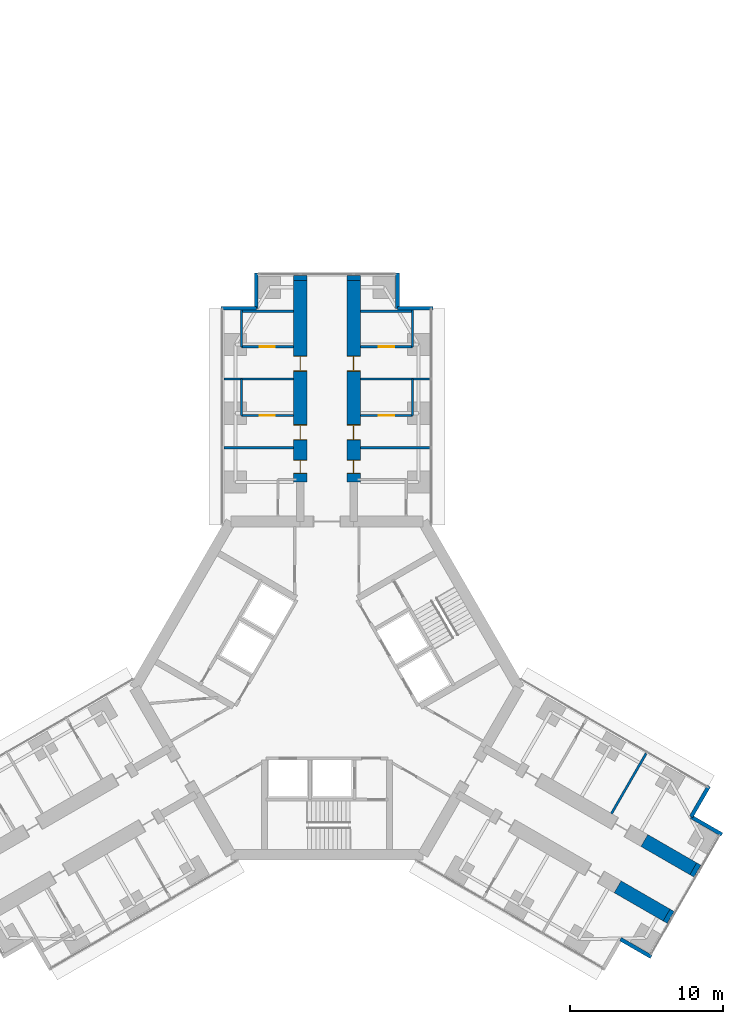
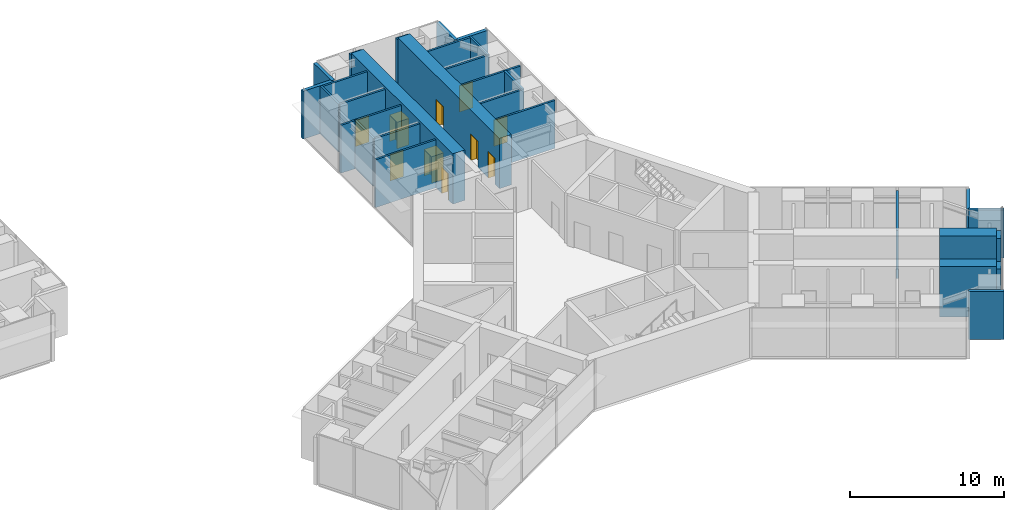
# One storey, part 22 of 24: 30 walls, 10 doors, 10 openings.
"""IFC4 building model written with IfcOpenShell, lengths in metres."""

from ifc_helpers import new_model, si_unit, direction, frame, frame_2d, origin, place, context, subcontext, project, spatial, rectangle, extrude, material, layer, layer_set, type_object, element, fill, save


model = new_model("IFC4")

# Units and contexts
model_context = context("Model", 3, precision=1e-05, world=origin(), true_north=direction((0.0, 1.0)))
body_context = subcontext(model_context, "Body", "Model", "MODEL_VIEW")
ifc_project = project(units=[si_unit("LENGTHUNIT", "METRE"), si_unit("AREAUNIT", "SQUARE_METRE"), si_unit("VOLUMEUNIT", "CUBIC_METRE"), si_unit("PLANEANGLEUNIT", "RADIAN"), si_unit("MASSUNIT", "GRAM", prefix="KILO")], contexts=[model_context])

# Site, building, storey
site_placement = place(None, origin())
site = spatial("IfcSite", under=ifc_project, at=site_placement, CompositionType="ELEMENT")
building_placement = place(site_placement, origin())
building = spatial("IfcBuilding", under=site, at=building_placement, Name="Upepo Twin Towers", CompositionType="ELEMENT")
storey_placement = place(building_placement, frame((0.0, 0.0, 60.5)))
storey = spatial("IfcBuildingStorey", under=building, at=storey_placement, Name="L14", CompositionType="ELEMENT", Elevation=60.5)

# Walls
ifc_material_1 = material(Name="Dense concrete blockwork", Category="masonry")
ifc_layer_1 = layer(ifc_material_1, 0.89990234375)
ifc_layer_set_1 = layer_set([ifc_layer_1], Name="Buttress closer 900, blockwork with fire-stopping to the curtain wall")
wall_type_1 = type_object("IfcWallType", Name="Buttress closer 900, blockwork with fire-stopping to the curtain wall", PredefinedType="PARTITIONING", material=ifc_layer_set_1)
for number, where, z_axis, x_axis, name in (
    (1, (56.75, 8.699951171875, 0.0), (0.0, 0.0, 1.0), (0.0, 1.0, 0.0), "T2 L14 wing A buttress closer L"),
    (2, (60.25, 8.699951171875, 0.0), (0.0, 0.0, 1.0), (0.0, 1.0, 0.0), "T2 L14 wing A buttress closer R"),
    (3, (82.497802734375, -29.83447265625, 0.0), (0.0, 0.0, 1.0), (0.866054481515, -0.499949632511, 0.0), "T2 L14 wing C buttress closer L"),
    (4, (80.747802734375, -32.865478515625, 0.0), (0.0, 0.0, 1.0), (0.866054481515, -0.499949632511, 0.0), "T2 L14 wing C buttress closer R"),
):
    element("IfcWall", number, at=place(storey_placement, frame(where, z_axis=z_axis, x_axis=x_axis)), inside=storey, type_object=wall_type_1, Name=name, PredefinedType="PARTITIONING", context=body_context, shape_type="SweptSolid", body=[
        extrude(rectangle(XDim=0.31005859375, YDim=0.89990234375, at=frame_2d((0.155029296875, 0.0))), origin(), (0.0, 0.0, 1.0), 3.800048828125),
    ])

# Wall, openings, doors
ifc_material_2 = material(Name="Concrete C60/75", Category="concrete")
ifc_layer_2 = layer(ifc_material_2, 0.89990234375)
ifc_layer_set_2 = layer_set([ifc_layer_2], Name="Concrete C60/75")
wall_type_2 = type_object("IfcWallType", Name="Buttress wall 900 RC", PredefinedType="SHEAR", material=ifc_layer_set_2)
wall_1_placement = place(storey_placement, frame((56.75, -4.5, 0.0), z_axis=(0.0, 0.0, 1.0), x_axis=(0.0, 1.0, 0.0)))
wall_1 = element("IfcWall", 5, at=wall_1_placement, inside=storey, type_object=wall_type_2, Name="T2 wing A buttress wall L part 2", PredefinedType="SHEAR", context=body_context, shape_type="SweptSolid", body=[
    extrude(rectangle(XDim=13.199951171875, YDim=0.89990234375, at=frame_2d((6.60009765625, 0.0))), origin(), (0.0, 0.0, 1.0), 4.0),
])
opening_1_placement = place(wall_1_placement, frame((0.550048828125, 0.0, 0.0)))
opening_1 = element("IfcOpeningElement", 6, at=opening_1_placement, cuts=wall_1, Name="Opening D11", PredefinedType="OPENING", context=body_context, shape_type="SweptSolid", body=[
    extrude(rectangle(XDim=0.89990234375, YDim=2.10009765625, at=frame_2d((0.449951171875, 1.050048828125))), frame((0.0, 0.4599609375, 0.0), z_axis=(0.0, -1.0, 0.0), x_axis=(1.0, 0.0, 0.0)), (0.0, 0.0, 1.0), 0.919921875),
])
opening_2_placement = place(wall_1_placement, frame((2.75, 0.0, 0.0)))
opening_2 = element("IfcOpeningElement", 7, at=opening_2_placement, cuts=wall_1, Name="Opening D1", PredefinedType="OPENING", context=body_context, shape_type="SweptSolid", body=[
    extrude(rectangle(XDim=1.0, YDim=2.10009765625, at=frame_2d((0.5, 1.050048828125))), frame((0.0, 0.4599609375, 0.0), z_axis=(0.0, -1.0, 0.0), x_axis=(1.0, 0.0, 0.0)), (0.0, 0.0, 1.0), 0.919921875),
])
opening_3_placement = place(wall_1_placement, frame((7.25, 0.0, 0.0)))
opening_3 = element("IfcOpeningElement", 8, at=opening_3_placement, cuts=wall_1, Name="Opening D1", PredefinedType="OPENING", context=body_context, shape_type="SweptSolid", body=[
    extrude(rectangle(XDim=1.0, YDim=2.10009765625, at=frame_2d((0.5, 1.050048828125))), frame((0.0, 0.4599609375, 0.0), z_axis=(0.0, -1.0, 0.0), x_axis=(1.0, 0.0, 0.0)), (0.0, 0.0, 1.0), 0.919921875),
])
ifc_material_3 = material(Name="Timber doorset", Category="wood")
door_type_1 = type_object("IfcDoorType", Name="Room door 1000 FD30", OperationType="SINGLE_SWING_LEFT", PredefinedType="DOOR", material=ifc_material_3)
door_1_placement = place(opening_2_placement, origin())
door_1 = element("IfcDoor", 9, at=door_1_placement, inside=storey, type_object=door_type_1, Name="T2 L14 tutorial room door", OperationType="SINGLE_SWING_LEFT", OverallHeight=2.10009765625, OverallWidth=1.0, PredefinedType="DOOR", context=body_context, shape_type="SweptSolid", body=[
    extrude(rectangle(XDim=0.92, YDim=2.06009765625, at=frame_2d((0.5, 1.030029296875))), frame((0.0, 0.02490234375, 0.0), z_axis=(0.0, -1.0, 0.0), x_axis=(1.0, 0.0, 0.0)), (0.0, 0.0, 1.0), 0.050048828125),
    extrude(rectangle(XDim=0.04, YDim=2.10009765625, at=frame_2d((0.02001953125, 1.050048828125))), frame((0.0, 0.44970703125, 0.0), z_axis=(0.0, -1.0, 0.0), x_axis=(1.0, 0.0, 0.0)), (0.0, 0.0, 1.0), 0.8994140625),
    extrude(rectangle(XDim=0.04, YDim=2.10009765625, at=frame_2d((0.97998046875, 1.050048828125))), frame((0.0, 0.44970703125, 0.0), z_axis=(0.0, -1.0, 0.0), x_axis=(1.0, 0.0, 0.0)), (0.0, 0.0, 1.0), 0.8994140625),
    extrude(rectangle(XDim=0.92, YDim=0.04, at=frame_2d((0.5, 2.080078125))), frame((0.0, 0.44970703125, 0.0), z_axis=(0.0, -1.0, 0.0), x_axis=(1.0, 0.0, 0.0)), (0.0, 0.0, 1.0), 0.8994140625),
])
fill(opening_2, door_1)
door_2_placement = place(opening_3_placement, origin())
door_2 = element("IfcDoor", 10, at=door_2_placement, inside=storey, type_object=door_type_1, Name="T2 L14 staff office door", OperationType="SINGLE_SWING_RIGHT", OverallHeight=2.10009765625, OverallWidth=1.0, PredefinedType="DOOR", context=body_context, shape_type="SweptSolid", body=[
    extrude(rectangle(XDim=0.92, YDim=2.06009765625, at=frame_2d((0.5, 1.030029296875))), frame((0.0, 0.02490234375, 0.0), z_axis=(0.0, -1.0, 0.0), x_axis=(1.0, 0.0, 0.0)), (0.0, 0.0, 1.0), 0.050048828125),
    extrude(rectangle(XDim=0.04, YDim=2.10009765625, at=frame_2d((0.02001953125, 1.050048828125))), frame((0.0, 0.44970703125, 0.0), z_axis=(0.0, -1.0, 0.0), x_axis=(1.0, 0.0, 0.0)), (0.0, 0.0, 1.0), 0.8994140625),
    extrude(rectangle(XDim=0.04, YDim=2.10009765625, at=frame_2d((0.97998046875, 1.050048828125))), frame((0.0, 0.44970703125, 0.0), z_axis=(0.0, -1.0, 0.0), x_axis=(1.0, 0.0, 0.0)), (0.0, 0.0, 1.0), 0.8994140625),
    extrude(rectangle(XDim=0.92, YDim=0.04, at=frame_2d((0.5, 2.080078125))), frame((0.0, 0.44970703125, 0.0), z_axis=(0.0, -1.0, 0.0), x_axis=(1.0, 0.0, 0.0)), (0.0, 0.0, 1.0), 0.8994140625),
])
fill(opening_3, door_2)
ifc_material_4 = material(Name="Timber doorset", Category="wood")
door_type_2 = type_object("IfcDoorType", Name="Toilet door 900", OperationType="SINGLE_SWING_LEFT", PredefinedType="DOOR", material=ifc_material_4)
door_3_placement = place(opening_1_placement, origin())
door_3 = element("IfcDoor", 11, at=door_3_placement, inside=storey, type_object=door_type_2, Name="T2 L14 toilets door", OperationType="SINGLE_SWING_LEFT", OverallHeight=2.10009765625, OverallWidth=0.89990234375, PredefinedType="DOOR", context=body_context, shape_type="SweptSolid", body=[
    extrude(rectangle(XDim=0.81990234375, YDim=2.06009765625, at=frame_2d((0.449951171875, 1.030029296875))), frame((0.0, 0.02490234375, 0.0), z_axis=(0.0, -1.0, 0.0), x_axis=(1.0, 0.0, 0.0)), (0.0, 0.0, 1.0), 0.050048828125),
    extrude(rectangle(XDim=0.04, YDim=2.10009765625, at=frame_2d((0.02001953125, 1.050048828125))), frame((0.0, 0.44970703125, 0.0), z_axis=(0.0, -1.0, 0.0), x_axis=(1.0, 0.0, 0.0)), (0.0, 0.0, 1.0), 0.8994140625),
    extrude(rectangle(XDim=0.04, YDim=2.10009765625, at=frame_2d((0.8798828125, 1.050048828125))), frame((0.0, 0.44970703125, 0.0), z_axis=(0.0, -1.0, 0.0), x_axis=(1.0, 0.0, 0.0)), (0.0, 0.0, 1.0), 0.8994140625),
    extrude(rectangle(XDim=0.81990234375, YDim=0.04, at=frame_2d((0.449951171875, 2.080078125))), frame((0.0, 0.44970703125, 0.0), z_axis=(0.0, -1.0, 0.0), x_axis=(1.0, 0.0, 0.0)), (0.0, 0.0, 1.0), 0.8994140625),
])
fill(opening_1, door_3)

wall_2_placement = place(storey_placement, frame((60.25, -4.5, 0.0), z_axis=(0.0, 0.0, 1.0), x_axis=(0.0, 1.0, 0.0)))
wall_2 = element("IfcWall", 12, at=wall_2_placement, inside=storey, type_object=wall_type_2, Name="T2 wing A buttress wall R part 2", PredefinedType="SHEAR", context=body_context, shape_type="SweptSolid", body=[
    extrude(rectangle(XDim=13.199951171875, YDim=0.89990234375, at=frame_2d((6.60009765625, 0.0))), origin(), (0.0, 0.0, 1.0), 4.0),
])
opening_4_placement = place(wall_2_placement, frame((0.550048828125, 0.0, 0.0)))
opening_4 = element("IfcOpeningElement", 13, at=opening_4_placement, cuts=wall_2, Name="Opening D11", PredefinedType="OPENING", context=body_context, shape_type="SweptSolid", body=[
    extrude(rectangle(XDim=0.89990234375, YDim=2.10009765625, at=frame_2d((0.449951171875, 1.050048828125))), frame((0.0, 0.4599609375, 0.0), z_axis=(0.0, -1.0, 0.0), x_axis=(1.0, 0.0, 0.0)), (0.0, 0.0, 1.0), 0.919921875),
])
opening_5_placement = place(wall_2_placement, frame((2.75, 0.0, 0.0)))
opening_5 = element("IfcOpeningElement", 14, at=opening_5_placement, cuts=wall_2, Name="Opening D1", PredefinedType="OPENING", context=body_context, shape_type="SweptSolid", body=[
    extrude(rectangle(XDim=1.0, YDim=2.10009765625, at=frame_2d((0.5, 1.050048828125))), frame((0.0, 0.4599609375, 0.0), z_axis=(0.0, -1.0, 0.0), x_axis=(1.0, 0.0, 0.0)), (0.0, 0.0, 1.0), 0.919921875),
])
opening_6_placement = place(wall_2_placement, frame((7.25, 0.0, 0.0)))
opening_6 = element("IfcOpeningElement", 15, at=opening_6_placement, cuts=wall_2, Name="Opening D1", PredefinedType="OPENING", context=body_context, shape_type="SweptSolid", body=[
    extrude(rectangle(XDim=1.0, YDim=2.10009765625, at=frame_2d((0.5, 1.050048828125))), frame((0.0, 0.4599609375, 0.0), z_axis=(0.0, -1.0, 0.0), x_axis=(1.0, 0.0, 0.0)), (0.0, 0.0, 1.0), 0.919921875),
])
door_4_placement = place(opening_5_placement, origin())
door_4 = element("IfcDoor", 16, at=door_4_placement, inside=storey, type_object=door_type_1, Name="T2 L14 seminar room door", OperationType="SINGLE_SWING_LEFT", OverallHeight=2.10009765625, OverallWidth=1.0, PredefinedType="DOOR", context=body_context, shape_type="SweptSolid", body=[
    extrude(rectangle(XDim=0.92, YDim=2.06009765625, at=frame_2d((0.5, 1.030029296875))), frame((0.0, 0.02490234375, 0.0), z_axis=(0.0, -1.0, 0.0), x_axis=(1.0, 0.0, 0.0)), (0.0, 0.0, 1.0), 0.050048828125),
    extrude(rectangle(XDim=0.04, YDim=2.10009765625, at=frame_2d((0.02001953125, 1.050048828125))), frame((0.0, 0.44970703125, 0.0), z_axis=(0.0, -1.0, 0.0), x_axis=(1.0, 0.0, 0.0)), (0.0, 0.0, 1.0), 0.8994140625),
    extrude(rectangle(XDim=0.04, YDim=2.10009765625, at=frame_2d((0.97998046875, 1.050048828125))), frame((0.0, 0.44970703125, 0.0), z_axis=(0.0, -1.0, 0.0), x_axis=(1.0, 0.0, 0.0)), (0.0, 0.0, 1.0), 0.8994140625),
    extrude(rectangle(XDim=0.92, YDim=0.04, at=frame_2d((0.5, 2.080078125))), frame((0.0, 0.44970703125, 0.0), z_axis=(0.0, -1.0, 0.0), x_axis=(1.0, 0.0, 0.0)), (0.0, 0.0, 1.0), 0.8994140625),
])
fill(opening_5, door_4)
door_5_placement = place(opening_6_placement, origin())
door_5 = element("IfcDoor", 17, at=door_5_placement, inside=storey, type_object=door_type_1, Name="T2 L14 tutorial room door", OperationType="SINGLE_SWING_RIGHT", OverallHeight=2.10009765625, OverallWidth=1.0, PredefinedType="DOOR", context=body_context, shape_type="SweptSolid", body=[
    extrude(rectangle(XDim=0.92, YDim=2.06009765625, at=frame_2d((0.5, 1.030029296875))), frame((0.0, 0.02490234375, 0.0), z_axis=(0.0, -1.0, 0.0), x_axis=(1.0, 0.0, 0.0)), (0.0, 0.0, 1.0), 0.050048828125),
    extrude(rectangle(XDim=0.04, YDim=2.10009765625, at=frame_2d((0.02001953125, 1.050048828125))), frame((0.0, 0.44970703125, 0.0), z_axis=(0.0, -1.0, 0.0), x_axis=(1.0, 0.0, 0.0)), (0.0, 0.0, 1.0), 0.8994140625),
    extrude(rectangle(XDim=0.04, YDim=2.10009765625, at=frame_2d((0.97998046875, 1.050048828125))), frame((0.0, 0.44970703125, 0.0), z_axis=(0.0, -1.0, 0.0), x_axis=(1.0, 0.0, 0.0)), (0.0, 0.0, 1.0), 0.8994140625),
    extrude(rectangle(XDim=0.92, YDim=0.04, at=frame_2d((0.5, 2.080078125))), frame((0.0, 0.44970703125, 0.0), z_axis=(0.0, -1.0, 0.0), x_axis=(1.0, 0.0, 0.0)), (0.0, 0.0, 1.0), 0.8994140625),
])
fill(opening_6, door_5)
door_6_placement = place(opening_4_placement, origin())
door_6 = element("IfcDoor", 18, at=door_6_placement, inside=storey, type_object=door_type_2, Name="T2 L14 accessible wc door", OperationType="SINGLE_SWING_LEFT", OverallHeight=2.10009765625, OverallWidth=0.89990234375, PredefinedType="DOOR", context=body_context, shape_type="SweptSolid", body=[
    extrude(rectangle(XDim=0.81990234375, YDim=2.06009765625, at=frame_2d((0.449951171875, 1.030029296875))), frame((0.0, 0.02490234375, 0.0), z_axis=(0.0, -1.0, 0.0), x_axis=(1.0, 0.0, 0.0)), (0.0, 0.0, 1.0), 0.050048828125),
    extrude(rectangle(XDim=0.04, YDim=2.10009765625, at=frame_2d((0.02001953125, 1.050048828125))), frame((0.0, 0.44970703125, 0.0), z_axis=(0.0, -1.0, 0.0), x_axis=(1.0, 0.0, 0.0)), (0.0, 0.0, 1.0), 0.8994140625),
    extrude(rectangle(XDim=0.04, YDim=2.10009765625, at=frame_2d((0.8798828125, 1.050048828125))), frame((0.0, 0.44970703125, 0.0), z_axis=(0.0, -1.0, 0.0), x_axis=(1.0, 0.0, 0.0)), (0.0, 0.0, 1.0), 0.8994140625),
    extrude(rectangle(XDim=0.81990234375, YDim=0.04, at=frame_2d((0.449951171875, 2.080078125))), frame((0.0, 0.44970703125, 0.0), z_axis=(0.0, -1.0, 0.0), x_axis=(1.0, 0.0, 0.0)), (0.0, 0.0, 1.0), 0.8994140625),
])
fill(opening_4, door_6)

# Walls
wall_3_placement = place(storey_placement, frame((79.293701171875, -27.984375, 0.0), z_axis=(0.0, 0.0, 1.0), x_axis=(0.866000971088, -0.500042316284, 0.0)))
element("IfcWall", 19, at=wall_3_placement, inside=storey, type_object=wall_type_2, Name="T2 wing C buttress wall L part 3", PredefinedType="SHEAR", context=body_context, shape_type="SweptSolid", body=[
    extrude(rectangle(XDim=3.699951171875, YDim=0.89990234375, at=frame_2d((1.85009765625, 0.0))), origin(), (0.0, 0.0, 1.0), 4.0),
])
wall_4_placement = place(storey_placement, frame((77.543701171875, -31.015625, 0.0), z_axis=(0.0, 0.0, 1.0), x_axis=(0.866029545028, -0.499992827086, 0.0)))
element("IfcWall", 20, at=wall_4_placement, inside=storey, type_object=wall_type_2, Name="T2 wing C buttress wall R part 3", PredefinedType="SHEAR", context=body_context, shape_type="SweptSolid", body=[
    extrude(rectangle(XDim=3.69970703125, YDim=0.89990234375, at=frame_2d((1.849853515625, 0.0))), origin(), (0.0, 0.0, 1.0), 4.0),
])
ifc_material_5 = material(Name="Blockwork with anodised aluminium cladding", Category="masonry")
ifc_layer_3 = layer(ifc_material_5, 0.25)
ifc_layer_set_3 = layer_set([ifc_layer_3], Name="Notch cladding wall 250, pale metal")
wall_type_3 = type_object("IfcWallType", Name="Notch cladding wall 250, pale metal", PredefinedType="STANDARD", material=ifc_layer_set_3)
for number, where, z_axis, x_axis, name in (
    (21, (51.550048828125, 6.875, 0.0), (0.0, 0.0, 1.0), (1.0, 0.0, 0.0), "T2 L14 wing A notch wall L1"),
    (22, (53.875, 6.875, 0.0), (0.0, 0.0, 1.0), (0.0, 1.0, 0.0), "T2 L14 wing A notch wall L2"),
    (23, (65.449951171875, 6.875, 0.0), (0.0, 0.0, 1.0), (-1.0, 0.0, 0.0), "T2 L14 wing A notch wall R1"),
    (24, (63.125, 6.875, 0.0), (0.0, 0.0, 1.0), (0.0, 1.0, 0.0), "T2 L14 wing A notch wall R2"),
    (25, (83.517333984375, -24.418701171875, 0.0), (0.0, 0.0, 1.0), (-0.499967891604, -0.866043940782, 0.0), "T2 L14 wing C notch wall L1"),
    (26, (82.35498046875, -26.43212890625, 0.0), (0.0, 0.0, 1.0), (0.865998469481, -0.500046648681, 0.0), "T2 L14 wing C notch wall L2"),
    (27, (77.72998046875, -34.44287109375, 0.0), (0.0, 0.0, 1.0), (0.865998469481, -0.500046648681, 0.0), "T2 L14 wing C notch wall R2"),
):
    element("IfcWall", number, at=place(storey_placement, frame(where, z_axis=z_axis, x_axis=x_axis)), inside=storey, type_object=wall_type_3, Name=name, PredefinedType="STANDARD", context=body_context, shape_type="SweptSolid", body=[
        extrude(rectangle(XDim=2.324951171875, YDim=0.25, at=frame_2d((1.16259765625, 0.0))), origin(), (0.0, 0.0, 1.0), 3.800048828125),
    ])
ifc_material_6 = material(Name="Gypsum board on steel studs", Category="steel")
ifc_layer_4 = layer(ifc_material_6, 0.14990234375)
ifc_layer_set_4 = layer_set([ifc_layer_4], Name="Teaching partition 150 acoustic")
wall_type_4 = type_object("IfcWallType", Name="Teaching partition 150 acoustic", PredefinedType="PARTITIONING", material=ifc_layer_set_4)
for number, where, z_axis, x_axis, name in (
    (28, (56.300048828125, -2.25, 0.0), (0.0, 0.0, 1.0), (-1.0, 0.0, 0.0), "T2 partition AL at 15.75"),
    (29, (56.300048828125, 2.25, 0.0), (0.0, 0.0, 1.0), (-1.0, 0.0, 0.0), "T2 partition AL at 20.25"),
):
    element("IfcWall", number, at=place(storey_placement, frame(where, z_axis=z_axis, x_axis=x_axis)), inside=storey, type_object=wall_type_4, Name=name, PredefinedType="PARTITIONING", context=body_context, shape_type="SweptSolid", body=[
        extrude(rectangle(XDim=4.550048828125, YDim=0.14990234375, at=frame_2d((2.27490234375, 0.0))), origin(), (0.0, 0.0, 1.0), 3.800048828125),
    ])
wall_5_placement = place(storey_placement, frame((52.89990234375, -0.14990234375, 0.0), z_axis=(0.0, 0.0, 1.0), x_axis=(0.0, 1.0, 0.0)))
element("IfcWall", 30, at=wall_5_placement, inside=storey, type_object=wall_type_4, Name="T2 inner room partition AL at 17.85", PredefinedType="PARTITIONING", context=body_context, shape_type="SweptSolid", body=[
    extrude(rectangle(XDim=2.39990234375, YDim=0.14990234375, at=frame_2d((1.199951171875, 0.0))), origin(), (0.0, 0.0, 1.0), 3.800048828125),
])

# Wall, opening, door
wall_6_placement = place(storey_placement, frame((56.300048828125, -0.14990234375, 0.0), z_axis=(0.0, 0.0, 1.0), x_axis=(-1.0, 0.0, 0.0)))
wall_6 = element("IfcWall", 31, at=wall_6_placement, inside=storey, type_object=wall_type_4, Name="T2 inner room partition AL end at 17.85", PredefinedType="PARTITIONING", context=body_context, shape_type="SweptSolid", body=[
    extrude(rectangle(XDim=3.400146484375, YDim=0.14990234375, at=frame_2d((1.7001953125, 0.0))), origin(), (0.0, 0.0, 1.0), 3.800048828125),
])
opening_7_placement = place(wall_6_placement, frame((1.199951171875, 0.0, 0.0)))
opening_7 = element("IfcOpeningElement", 32, at=opening_7_placement, cuts=wall_6, Name="Opening D1", PredefinedType="OPENING", context=body_context, shape_type="SweptSolid", body=[
    extrude(rectangle(XDim=1.0, YDim=2.10009765625, at=frame_2d((0.5, 1.050048828125))), frame((0.0, 0.0849609375, 0.0), z_axis=(0.0, -1.0, 0.0), x_axis=(1.0, 0.0, 0.0)), (0.0, 0.0, 1.0), 0.169921875),
])
door_7_placement = place(opening_7_placement, origin())
door_7 = element("IfcDoor", 33, at=door_7_placement, inside=storey, type_object=door_type_1, Name="T2 L14 inner room door", OperationType="SINGLE_SWING_LEFT", OverallHeight=2.10009765625, OverallWidth=1.0, PredefinedType="DOOR", context=body_context, shape_type="SweptSolid", body=[
    extrude(rectangle(XDim=1.0, YDim=2.10009765625, at=frame_2d((0.5, 1.050048828125))), frame((0.0, 0.02490234375, 0.0), z_axis=(0.0, -1.0, 0.0), x_axis=(1.0, 0.0, 0.0)), (0.0, 0.0, 1.0), 0.050048828125),
])
fill(opening_7, door_7)

# Wall
wall_7_placement = place(storey_placement, frame((52.89990234375, 4.35009765625, 0.0), z_axis=(0.0, 0.0, 1.0), x_axis=(0.0, 1.0, 0.0)))
element("IfcWall", 34, at=wall_7_placement, inside=storey, type_object=wall_type_4, Name="T2 inner room partition AL at 22.35", PredefinedType="PARTITIONING", context=body_context, shape_type="SweptSolid", body=[
    extrude(rectangle(XDim=2.39990234375, YDim=0.14990234375, at=frame_2d((1.199951171875, 0.0))), origin(), (0.0, 0.0, 1.0), 3.800048828125),
])

# Wall, opening, door
wall_8_placement = place(storey_placement, frame((56.300048828125, 4.35009765625, 0.0), z_axis=(0.0, 0.0, 1.0), x_axis=(-1.0, 0.0, 0.0)))
wall_8 = element("IfcWall", 35, at=wall_8_placement, inside=storey, type_object=wall_type_4, Name="T2 inner room partition AL end at 22.35", PredefinedType="PARTITIONING", context=body_context, shape_type="SweptSolid", body=[
    extrude(rectangle(XDim=3.400146484375, YDim=0.14990234375, at=frame_2d((1.7001953125, 0.0))), origin(), (0.0, 0.0, 1.0), 3.800048828125),
])
opening_8_placement = place(wall_8_placement, frame((1.199951171875, 0.0, 0.0)))
opening_8 = element("IfcOpeningElement", 36, at=opening_8_placement, cuts=wall_8, Name="Opening D1", PredefinedType="OPENING", context=body_context, shape_type="SweptSolid", body=[
    extrude(rectangle(XDim=1.0, YDim=2.10009765625, at=frame_2d((0.5, 1.050048828125))), frame((0.0, 0.0849609375, 0.0), z_axis=(0.0, -1.0, 0.0), x_axis=(1.0, 0.0, 0.0)), (0.0, 0.0, 1.0), 0.169921875),
])
door_8_placement = place(opening_8_placement, origin())
door_8 = element("IfcDoor", 37, at=door_8_placement, inside=storey, type_object=door_type_1, Name="T2 L14 inner room door", OperationType="SINGLE_SWING_LEFT", OverallHeight=2.10009765625, OverallWidth=1.0, PredefinedType="DOOR", context=body_context, shape_type="SweptSolid", body=[
    extrude(rectangle(XDim=1.0, YDim=2.10009765625, at=frame_2d((0.5, 1.050048828125))), frame((0.0, 0.02490234375, 0.0), z_axis=(0.0, -1.0, 0.0), x_axis=(1.0, 0.0, 0.0)), (0.0, 0.0, 1.0), 0.050048828125),
])
fill(opening_8, door_8)

# Walls
wall_9_placement = place(storey_placement, frame((56.300048828125, 6.675048828125, 0.0), z_axis=(0.0, 0.0, 1.0), x_axis=(-1.0, 0.0, 0.0)))
element("IfcWall", 38, at=wall_9_placement, inside=storey, type_object=wall_type_4, Name="T2 inner room partition AL end at 24.75", PredefinedType="PARTITIONING", context=body_context, shape_type="SweptSolid", body=[
    extrude(rectangle(XDim=3.400146484375, YDim=0.14990234375, at=frame_2d((1.7001953125, 0.0))), origin(), (0.0, 0.0, 1.0), 3.800048828125),
])
for number, where, z_axis, x_axis, name in (
    (39, (60.699951171875, -2.25, 0.0), (0.0, 0.0, 1.0), (1.0, 0.0, 0.0), "T2 partition AR at 15.75"),
    (40, (60.699951171875, 2.25, 0.0), (0.0, 0.0, 1.0), (1.0, 0.0, 0.0), "T2 partition AR at 20.25"),
):
    element("IfcWall", number, at=place(storey_placement, frame(where, z_axis=z_axis, x_axis=x_axis)), inside=storey, type_object=wall_type_4, Name=name, PredefinedType="PARTITIONING", context=body_context, shape_type="SweptSolid", body=[
        extrude(rectangle(XDim=4.550048828125, YDim=0.14990234375, at=frame_2d((2.27490234375, 0.0))), origin(), (0.0, 0.0, 1.0), 3.800048828125),
    ])
wall_10_placement = place(storey_placement, frame((64.10009765625, -0.14990234375, 0.0), z_axis=(0.0, 0.0, 1.0), x_axis=(0.0, 1.0, 0.0)))
element("IfcWall", 41, at=wall_10_placement, inside=storey, type_object=wall_type_4, Name="T2 inner room partition AR at 17.85", PredefinedType="PARTITIONING", context=body_context, shape_type="SweptSolid", body=[
    extrude(rectangle(XDim=2.39990234375, YDim=0.14990234375, at=frame_2d((1.199951171875, 0.0))), origin(), (0.0, 0.0, 1.0), 3.800048828125),
])

# Wall, opening, door
wall_11_placement = place(storey_placement, frame((60.699951171875, -0.14990234375, 0.0), z_axis=(0.0, 0.0, 1.0), x_axis=(1.0, 0.0, 0.0)))
wall_11 = element("IfcWall", 42, at=wall_11_placement, inside=storey, type_object=wall_type_4, Name="T2 inner room partition AR end at 17.85", PredefinedType="PARTITIONING", context=body_context, shape_type="SweptSolid", body=[
    extrude(rectangle(XDim=3.400146484375, YDim=0.14990234375, at=frame_2d((1.7001953125, 0.0))), origin(), (0.0, 0.0, 1.0), 3.800048828125),
])
opening_9_placement = place(wall_11_placement, frame((1.199951171875, 0.0, 0.0)))
opening_9 = element("IfcOpeningElement", 43, at=opening_9_placement, cuts=wall_11, Name="Opening D1", PredefinedType="OPENING", context=body_context, shape_type="SweptSolid", body=[
    extrude(rectangle(XDim=1.0, YDim=2.10009765625, at=frame_2d((0.5, 1.050048828125))), frame((0.0, 0.0849609375, 0.0), z_axis=(0.0, -1.0, 0.0), x_axis=(1.0, 0.0, 0.0)), (0.0, 0.0, 1.0), 0.169921875),
])
door_9_placement = place(opening_9_placement, origin())
door_9 = element("IfcDoor", 44, at=door_9_placement, inside=storey, type_object=door_type_1, Name="T2 L14 inner room door", OperationType="SINGLE_SWING_LEFT", OverallHeight=2.10009765625, OverallWidth=1.0, PredefinedType="DOOR", context=body_context, shape_type="SweptSolid", body=[
    extrude(rectangle(XDim=1.0, YDim=2.10009765625, at=frame_2d((0.5, 1.050048828125))), frame((0.0, 0.02490234375, 0.0), z_axis=(0.0, -1.0, 0.0), x_axis=(1.0, 0.0, 0.0)), (0.0, 0.0, 1.0), 0.050048828125),
])
fill(opening_9, door_9)

# Wall
wall_12_placement = place(storey_placement, frame((64.10009765625, 4.35009765625, 0.0), z_axis=(0.0, 0.0, 1.0), x_axis=(0.0, 1.0, 0.0)))
element("IfcWall", 45, at=wall_12_placement, inside=storey, type_object=wall_type_4, Name="T2 inner room partition AR at 22.35", PredefinedType="PARTITIONING", context=body_context, shape_type="SweptSolid", body=[
    extrude(rectangle(XDim=2.39990234375, YDim=0.14990234375, at=frame_2d((1.199951171875, 0.0))), origin(), (0.0, 0.0, 1.0), 3.800048828125),
])

# Wall, opening, door
wall_13_placement = place(storey_placement, frame((60.699951171875, 4.35009765625, 0.0), z_axis=(0.0, 0.0, 1.0), x_axis=(1.0, 0.0, 0.0)))
wall_13 = element("IfcWall", 46, at=wall_13_placement, inside=storey, type_object=wall_type_4, Name="T2 inner room partition AR end at 22.35", PredefinedType="PARTITIONING", context=body_context, shape_type="SweptSolid", body=[
    extrude(rectangle(XDim=3.400146484375, YDim=0.14990234375, at=frame_2d((1.7001953125, 0.0))), origin(), (0.0, 0.0, 1.0), 3.800048828125),
])
opening_10_placement = place(wall_13_placement, frame((1.199951171875, 0.0, 0.0)))
opening_10 = element("IfcOpeningElement", 47, at=opening_10_placement, cuts=wall_13, Name="Opening D1", PredefinedType="OPENING", context=body_context, shape_type="SweptSolid", body=[
    extrude(rectangle(XDim=1.0, YDim=2.10009765625, at=frame_2d((0.5, 1.050048828125))), frame((0.0, 0.0849609375, 0.0), z_axis=(0.0, -1.0, 0.0), x_axis=(1.0, 0.0, 0.0)), (0.0, 0.0, 1.0), 0.169921875),
])
door_10_placement = place(opening_10_placement, origin())
door_10 = element("IfcDoor", 48, at=door_10_placement, inside=storey, type_object=door_type_1, Name="T2 L14 inner room door", OperationType="SINGLE_SWING_LEFT", OverallHeight=2.10009765625, OverallWidth=1.0, PredefinedType="DOOR", context=body_context, shape_type="SweptSolid", body=[
    extrude(rectangle(XDim=1.0, YDim=2.10009765625, at=frame_2d((0.5, 1.050048828125))), frame((0.0, 0.02490234375, 0.0), z_axis=(0.0, -1.0, 0.0), x_axis=(1.0, 0.0, 0.0)), (0.0, 0.0, 1.0), 0.050048828125),
])
fill(opening_10, door_10)

# Walls
wall_14_placement = place(storey_placement, frame((60.699951171875, 6.675048828125, 0.0), z_axis=(0.0, 0.0, 1.0), x_axis=(1.0, 0.0, 0.0)))
element("IfcWall", 49, at=wall_14_placement, inside=storey, type_object=wall_type_4, Name="T2 inner room partition AR end at 24.75", PredefinedType="PARTITIONING", context=body_context, shape_type="SweptSolid", body=[
    extrude(rectangle(XDim=3.400146484375, YDim=0.14990234375, at=frame_2d((1.7001953125, 0.0))), origin(), (0.0, 0.0, 1.0), 3.800048828125),
])
wall_15_placement = place(storey_placement, frame((77.136962890625, -26.2197265625, 0.0), z_axis=(0.0, 0.0, 1.0), x_axis=(0.500022803284, 0.866012237902, 0.0)))
element("IfcWall", 50, at=wall_15_placement, inside=storey, type_object=wall_type_4, Name="T2 partition CL at 20.25", PredefinedType="PARTITIONING", context=body_context, shape_type="SweptSolid", body=[
    extrude(rectangle(XDim=4.550048828125, YDim=0.14990234375, at=frame_2d((2.27490234375, 0.0))), origin(), (0.0, 0.0, 1.0), 3.800048828125),
])

save(model, "model.ifc")
